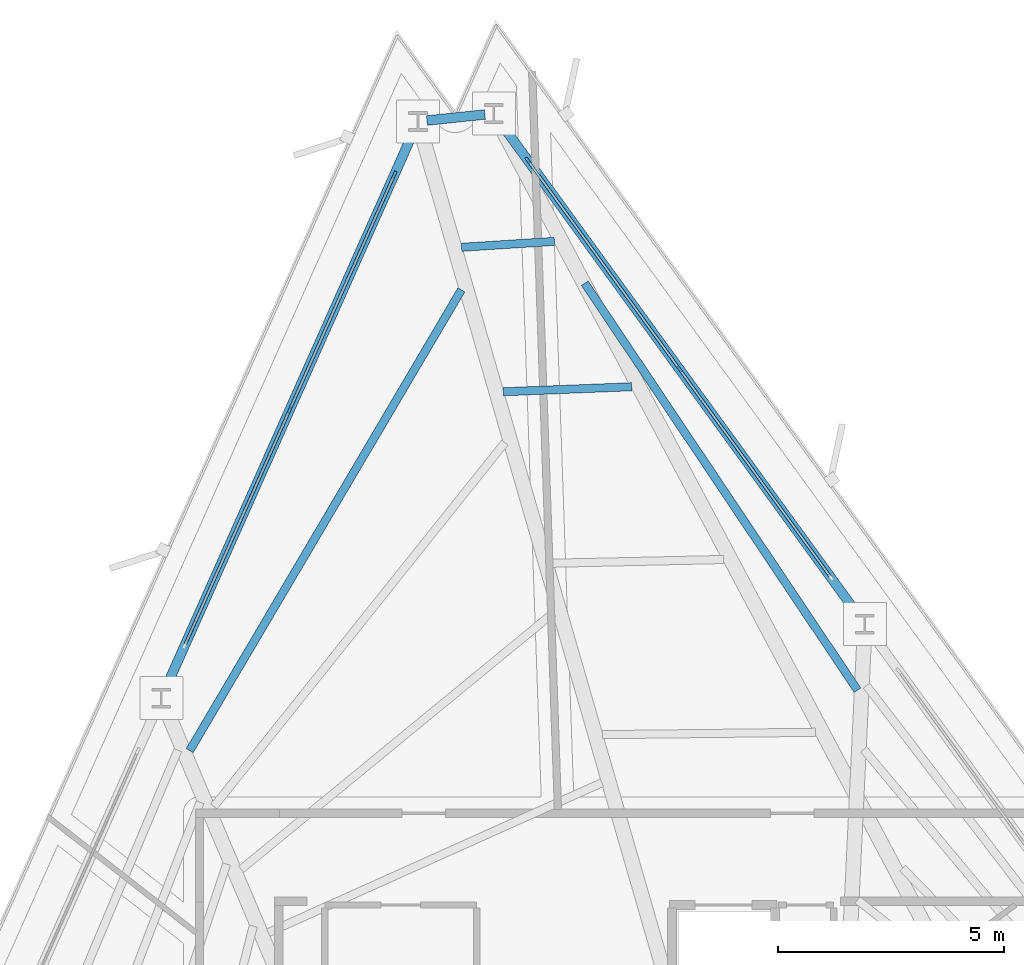
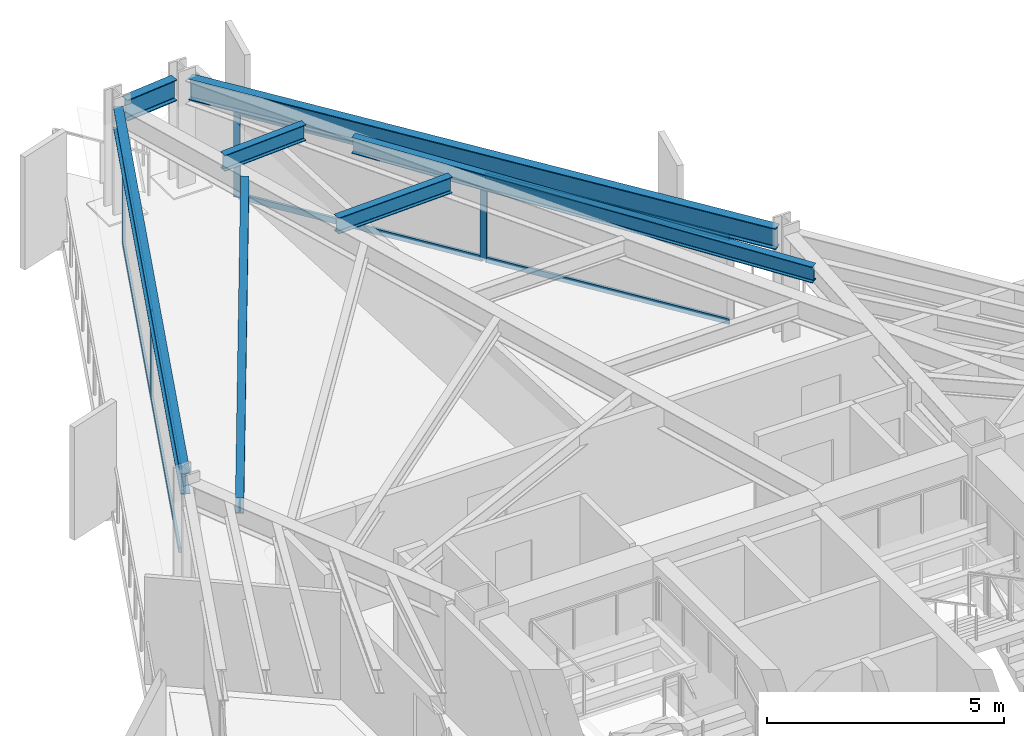
# One storey, part 6 of 12: 12 members, 7 beams, 2 elements without a shape of their own.
"""IFC4 building model written with IfcOpenShell, lengths in metres."""

import ifcopenshell
import ifcopenshell.guid

model = None  # the IFC model being written
_history = None  # IfcOwnerHistory: only IFC2X3 demands one
_inside = {}  # id of a spatial element -> (the spatial element, [elements in it])
_under = {}  # id of a project, library or spatial element -> (it, [spatial elements below it])
_declared = {}  # id of a project -> (the project, [libraries it declares])
_typed = {}  # id of a type object -> (the type object, [elements of that type])
_made_of = {}  # id of a material, layer set ... -> (it, [elements and type objects made of it])


def new_model(schema):
    """Start an empty IFC model of exactly this schema.

    Asked for "IFC4X3", IfcOpenShell would pick the latest addendum, in which some entities
    have other attributes; the version numbers below select the first issue.
    IFC2X3 requires an IfcOwnerHistory on every rooted entity: one is made here for all.
    """
    global model, _history
    if schema == "IFC4X3":
        model = ifcopenshell.file(schema_version=(4, 3, 0, 0))
    else:
        model = ifcopenshell.file(schema=schema)
    _inside.clear()
    _under.clear()
    _declared.clear()
    _typed.clear()
    _made_of.clear()
    _history = None
    if model.schema == "IFC2X3":
        org = make("IfcOrganization", Name="unknown")
        user = make(
            "IfcPersonAndOrganization",
            ThePerson=make("IfcPerson", FamilyName="unknown"),
            TheOrganization=org,
        )
        app = make(
            "IfcApplication",
            ApplicationDeveloper=org,
            Version="unknown",
            ApplicationFullName="unknown",
            ApplicationIdentifier="unknown",
        )
        _history = make(
            "IfcOwnerHistory",
            OwningUser=user,
            OwningApplication=app,
            ChangeAction="ADDED",
            CreationDate=0,
        )
    return model


def make(cls, **values):
    """One entity of the class cls with the attributes given. An attribute that is None is left unset."""
    return model.create_entity(
        cls, **{name: value for name, value in values.items() if value is not None}
    )


def rooted(cls, **values):
    """An entity with a GlobalId (a new one), such as an element, a storey or a relation."""
    return make(cls, GlobalId=ifcopenshell.guid.new(), OwnerHistory=_history, **values)


def si_unit(unit_type, name, prefix=None):
    """IfcSIUnit, for example si_unit("LENGTHUNIT", "METRE", prefix="MILLI")."""
    return make("IfcSIUnit", UnitType=unit_type, Prefix=prefix, Name=name)


def assignment(units):
    """IfcUnitAssignment: the units of a project."""
    return None if units is None else make("IfcUnitAssignment", Units=units)


def point(xyz):
    """IfcCartesianPoint."""
    return None if xyz is None else make("IfcCartesianPoint", Coordinates=xyz)


def direction(xyz):
    """IfcDirection."""
    return None if xyz is None else make("IfcDirection", DirectionRatios=xyz)


def frame(location, z_axis=None, x_axis=None):
    """IfcAxis2Placement3D, a coordinate frame: its origin and axes. An axis left out is left unset."""
    return make(
        "IfcAxis2Placement3D",
        Location=point(location),
        Axis=direction(z_axis),
        RefDirection=direction(x_axis),
    )


def frame_2d(location, x_axis=None):
    """IfcAxis2Placement2D, a coordinate frame in the plane: its origin and x axis."""
    return make(
        "IfcAxis2Placement2D", Location=point(location), RefDirection=direction(x_axis)
    )


def origin():
    """The frame at (0, 0, 0) with its axes left unset."""
    return frame((0.0, 0.0, 0.0))


def origin_2d():
    """The frame at (0, 0) in the plane with its x axis left unset."""
    return frame_2d((0.0, 0.0))


def place(relative_to, where):
    """IfcLocalPlacement: puts the frame where relative to a parent placement (None: the world)."""
    return make(
        "IfcLocalPlacement", PlacementRelTo=relative_to, RelativePlacement=where
    )


def context(
    kind, dimensions, precision=None, world=None, true_north=None, identifier=None
):
    """IfcGeometricRepresentationContext, for example the 3D "Model" context."""
    return make(
        "IfcGeometricRepresentationContext",
        ContextIdentifier=identifier,
        ContextType=kind,
        CoordinateSpaceDimension=dimensions,
        Precision=precision,
        WorldCoordinateSystem=world,
        TrueNorth=true_north,
    )


def subcontext(parent, identifier, kind, view, scale=None):
    """IfcGeometricRepresentationSubContext, for example "Body" below "Model"."""
    return make(
        "IfcGeometricRepresentationSubContext",
        ContextIdentifier=identifier,
        ContextType=kind,
        ParentContext=parent,
        TargetScale=scale,
        TargetView=view,
    )


def project(units=None, contexts=None):
    """IfcProject with its units and contexts."""
    return rooted(
        "IfcProject",
        Name="project",
        RepresentationContexts=contexts,
        UnitsInContext=assignment(units),
    )


def spatial(cls, under=None, at=None, **own):
    """A site, building, storey or space (cls), placed at a placement, below another one or the project."""
    s = rooted(cls, ObjectPlacement=at, **own)
    if under is not None:
        _under.setdefault(under.id(), (under, []))[1].append(s)
    return s


def profile(cls, at=None, kind="AREA", **sizes):
    """A parametric profile (cls). Its sizes go by their IFC names, for example OverallWidth=200.0."""
    return make(cls, ProfileType=kind, Position=at, **sizes)


def rectangle(**sizes):
    """IfcRectangleProfileDef."""
    return profile("IfcRectangleProfileDef", **sizes)


def i_section(**sizes):
    """IfcIShapeProfileDef."""
    return profile("IfcIShapeProfileDef", **sizes)


def extrude(swept, where, along, depth):
    """IfcExtrudedAreaSolid: the profile swept, set in the frame where, extruded along a direction by depth."""
    return make(
        "IfcExtrudedAreaSolid",
        SweptArea=swept,
        Position=where,
        ExtrudedDirection=direction(along),
        Depth=depth,
    )


def shape(context_of_items, identifier, shape_type, items):
    """IfcShapeRepresentation: the items that make up one representation, for example the "Body"."""
    return make(
        "IfcShapeRepresentation",
        ContextOfItems=context_of_items,
        RepresentationIdentifier=identifier,
        RepresentationType=shape_type,
        Items=items,
    )


def material(Name=None, Category=None):
    """IfcMaterial."""
    return make("IfcMaterial", Name=Name, Category=Category)


def layer(
    of_material, thickness, ventilated=None, Name=None, Category=None, Priority=None
):
    """IfcMaterialLayer: one layer of a wall or slab, of a material (None: an air gap)."""
    return make(
        "IfcMaterialLayer",
        Material=of_material,
        LayerThickness=thickness,
        IsVentilated=ventilated,
        Name=Name,
        Category=Category,
        Priority=Priority,
    )


def layer_set(layers, Name=None):
    """IfcMaterialLayerSet."""
    return make("IfcMaterialLayerSet", MaterialLayers=layers, LayerSetName=Name)


def material_profile(
    of_material, cross_section, Name=None, Category=None, Priority=None
):
    """IfcMaterialProfile: a cross section and its material."""
    return make(
        "IfcMaterialProfile",
        Name=Name,
        Material=of_material,
        Profile=cross_section,
        Priority=Priority,
        Category=Category,
    )


def profile_set(profiles, Name=None, composite=None):
    """IfcMaterialProfileSet."""
    return make(
        "IfcMaterialProfileSet",
        Name=Name,
        MaterialProfiles=profiles,
        CompositeProfile=composite,
    )


def made_of(thing, what):
    """Note that an element or type object is made of a material, layer set ...; save() writes the relation."""
    if what is not None:
        _made_of.setdefault(what.id(), (what, []))[1].append(thing)
    return thing


def type_object(cls, material=None, **own):
    """A type object (cls), such as IfcWallType, which elements share."""
    return made_of(rooted(cls, **own), material)


def element(
    cls,
    number,
    at=None,
    inside=None,
    cuts=None,
    type_object=None,
    material=None,
    context=None,
    identifier="Body",
    shape_type=None,
    held_by="IfcProductDefinitionShape",
    body=None,
    shapes=None,
    **own,
):
    """One element of the class cls, such as IfcWall. Its Tag is "e" and its number.

    at: its placement. inside: the storey or other place that contains it. cuts: it is an
    opening in that element (IfcRelVoidsElement). A single representation is given by context,
    identifier, shape_type and body (its items); several are given by shapes. held_by: the class
    of the entity that holds the representations. save() writes the other relations.
    """
    e = rooted(cls, Tag="e%d" % number, ObjectPlacement=at, **own)
    if body is not None:
        shapes = [shape(context, identifier, shape_type, body)]
    if shapes is not None:
        e.Representation = make(held_by, Representations=shapes)
    if inside is not None:
        _inside.setdefault(inside.id(), (inside, []))[1].append(e)
    if cuts is not None:
        rooted(
            "IfcRelVoidsElement", RelatingBuildingElement=cuts, RelatedOpeningElement=e
        )
    if type_object is not None:
        _typed.setdefault(type_object.id(), (type_object, []))[1].append(e)
    return made_of(e, material)


def aggregate(whole, parts):
    """IfcRelAggregates: a whole, such as a stair, and the parts it consists of."""
    return rooted("IfcRelAggregates", RelatingObject=whole, RelatedObjects=parts)


def save(model, path):
    """Write the relations noted so far, then the file.

    IfcRelAggregates (storeys below a building ...), IfcRelContainedInSpatialStructure (elements
    in a storey), IfcRelDefinesByType, IfcRelAssociatesMaterial and IfcRelDeclares: one each for
    every whole, place, type object, material and project.
    """
    for whole, parts in _under.values():
        aggregate(whole, parts)
    for where, things in _inside.values():
        rooted(
            "IfcRelContainedInSpatialStructure",
            RelatedElements=things,
            RelatingStructure=where,
        )
    for kind, things in _typed.values():
        rooted("IfcRelDefinesByType", RelatedObjects=things, RelatingType=kind)
    for what, things in _made_of.values():
        rooted("IfcRelAssociatesMaterial", RelatedObjects=things, RelatingMaterial=what)
    for by, libraries in _declared.values():
        rooted("IfcRelDeclares", RelatingContext=by, RelatedDefinitions=libraries)
    model.write(path)


model = new_model("IFC4")

# Units and contexts
model_context = context("Model", 3, precision=1e-05, world=origin(), true_north=direction((0.0, 1.0)))
body_context = subcontext(model_context, "Body", "Model", "MODEL_VIEW")
ifc_project = project(units=[si_unit("LENGTHUNIT", "METRE"), si_unit("AREAUNIT", "SQUARE_METRE"), si_unit("VOLUMEUNIT", "CUBIC_METRE"), si_unit("PLANEANGLEUNIT", "RADIAN"), si_unit("MASSUNIT", "GRAM", prefix="KILO")], contexts=[model_context])

# Site, building, storey
site_placement = place(None, origin())
site = spatial("IfcSite", under=ifc_project, at=site_placement, CompositionType="ELEMENT")
building_placement = place(site_placement, origin())
building = spatial("IfcBuilding", under=site, at=building_placement, Name="Rocaltana Carrier Exchange", CompositionType="ELEMENT")
storey_placement = place(building_placement, frame((0.0, 0.0, 104.639892578125)))
storey = spatial("IfcBuildingStorey", under=building, at=storey_placement, Name="L32", CompositionType="ELEMENT", Elevation=104.639892578125)

# Curtain wall, members
ifc_material_1 = material(Name="Aluminium 6063-T6", Category="aluminium")
ifc_layer = layer(ifc_material_1, 0.14990234375)
ifc_layer_set = layer_set([ifc_layer], Name="Aluminium 6063-T6")
curtain_wall_type = type_object("IfcCurtainWallType", Name="Mid-Tower Unitised Curtain Wall CW-03", PredefinedType="NOTDEFINED", material=ifc_layer_set)
curtain_wall_1_placement = place(storey_placement, origin())
curtain_wall_1 = element("IfcCurtainWall", 1, at=curtain_wall_1_placement, inside=storey, type_object=curtain_wall_type, Name="L32 CW-03 Run CW-L32-F1S3", PredefinedType="NOTDEFINED")
ifc_material_2 = material(Name="Aluminium 6063-T6", Category="aluminium")
ifc_material_profile_1 = material_profile(ifc_material_2, rectangle(XDim=0.06005859375, YDim=0.14990234375, at=origin_2d()), Name="AL-60X150")
ifc_profile_set_1 = profile_set([ifc_material_profile_1], Name="Aluminium 6063-T6")
member_type_1 = type_object("IfcMemberType", Name="CW-03 Mullion AL-60X150", PredefinedType="MULLION", material=ifc_profile_set_1)
member_1_placement = place(storey_placement, frame((2.363037109375, 18.980712890625, 0.0), z_axis=(0.0, 0.0, 1.0), x_axis=(-0.809013555195, -0.587789985889, 0.0)))
member_1 = element("IfcMember", 2, at=member_1_placement, type_object=member_type_1, Name="CW-03 mullion 2", PredefinedType="MULLION", context=body_context, shape_type="SweptSolid", body=[
    extrude(rectangle(XDim=0.06005859375, YDim=0.14990234375, at=origin_2d()), origin(), (0.0, 0.0, 1.0), 2.218017578125),
])
member_2_placement = place(storey_placement, frame((-0.9892578125, 23.5947265625, 0.0), z_axis=(0.0, 0.0, 1.0), x_axis=(-0.809013555195, -0.587789985889, 0.0)))
member_2 = element("IfcMember", 3, at=member_2_placement, type_object=member_type_1, Name="CW-03 mullion 3", PredefinedType="MULLION", context=body_context, shape_type="SweptSolid", body=[
    extrude(rectangle(XDim=0.06005859375, YDim=0.14990234375, at=origin_2d()), origin(), (0.0, 0.0, 1.0), 2.218017578125),
])

curtain_wall_2_placement = place(storey_placement, origin())
curtain_wall_2 = element("IfcCurtainWall", 4, at=curtain_wall_2_placement, inside=storey, type_object=curtain_wall_type, Name="L32 CW-03 Run CW-L32-F2S1", PredefinedType="NOTDEFINED")
member_3_placement = place(storey_placement, frame((-3.93798828125, 23.284912109375, 0.0), z_axis=(0.0, 0.0, 1.0), x_axis=(0.913543791084, -0.406740386206, 0.0)))
member_3 = element("IfcMember", 5, at=member_3_placement, type_object=member_type_1, Name="CW-03 mullion 1", PredefinedType="MULLION", context=body_context, shape_type="SweptSolid", body=[
    extrude(rectangle(XDim=0.06005859375, YDim=0.14990234375, at=origin_2d()), origin(), (0.0, 0.0, 1.0), 2.218017578125),
])
member_4_placement = place(storey_placement, frame((-6.2578125, 18.074462890625, 0.0), z_axis=(0.0, 0.0, 1.0), x_axis=(0.913543791084, -0.406740386206, 0.0)))
member_4 = element("IfcMember", 6, at=member_4_placement, type_object=member_type_1, Name="CW-03 mullion 2", PredefinedType="MULLION", context=body_context, shape_type="SweptSolid", body=[
    extrude(rectangle(XDim=0.06005859375, YDim=0.14990234375, at=origin_2d()), origin(), (0.0, 0.0, 1.0), 2.218017578125),
])

# Member
ifc_material_3 = material(Name="Aluminium 6063-T6", Category="aluminium")
ifc_material_profile_2 = material_profile(ifc_material_3, rectangle(XDim=0.06005859375, YDim=0.14990234375, at=origin_2d()), Name="AL-60X150")
ifc_profile_set_2 = profile_set([ifc_material_profile_2], Name="Aluminium 6063-T6")
member_type_2 = type_object("IfcMemberType", Name="CW-03 Transom AL-60X150", PredefinedType="USERDEFINED", material=ifc_profile_set_2)
member_5_placement = place(storey_placement, frame((5.69775390625, 14.390869140625, 0.030029296875), z_axis=(-0.587803791035, 0.809003524866, 0.0), x_axis=(-0.809003524866, -0.587803791035, 0.0)))
member_5 = element("IfcMember", 7, at=member_5_placement, type_object=member_type_2, Name="CW-03 transom 1.1", ObjectType="TRANSOM", PredefinedType="USERDEFINED", context=body_context, shape_type="SweptSolid", body=[
    extrude(rectangle(XDim=0.06005859375, YDim=0.14990234375, at=origin_2d()), origin(), (0.0, 0.0, 1.0), 5.643310546875),
])

member_6_placement = place(storey_placement, frame((5.69775390625, 14.390869140625, 2.18798828125), z_axis=(-0.587803791035, 0.809003524866, 0.0), x_axis=(-0.809003524866, -0.587803791035, 0.0)))
member_6 = element("IfcMember", 8, at=member_6_placement, type_object=member_type_2, Name="CW-03 transom 1.2", ObjectType="TRANSOM", PredefinedType="USERDEFINED", context=body_context, shape_type="SweptSolid", body=[
    extrude(rectangle(XDim=0.06005859375, YDim=0.14990234375, at=origin_2d()), origin(), (0.0, 0.0, 1.0), 5.643310546875),
])

member_7_placement = place(storey_placement, frame((2.345458984375, 19.0048828125, 0.030029296875), z_axis=(-0.58778321885, 0.809018471753, 0.0), x_axis=(-0.809018471753, -0.58778321885, 0.0)))
member_7 = element("IfcMember", 9, at=member_7_placement, type_object=member_type_2, Name="CW-03 transom 2.1", ObjectType="TRANSOM", PredefinedType="USERDEFINED", context=body_context, shape_type="SweptSolid", body=[
    extrude(rectangle(XDim=0.06005859375, YDim=0.14990234375, at=origin_2d()), origin(), (0.0, 0.0, 1.0), 5.6435546875),
])

member_8_placement = place(storey_placement, frame((2.345458984375, 19.0048828125, 2.18798828125), z_axis=(-0.58778321885, 0.809018471753, 0.0), x_axis=(-0.809018471753, -0.58778321885, 0.0)))
member_8 = element("IfcMember", 10, at=member_8_placement, type_object=member_type_2, Name="CW-03 transom 2.2", ObjectType="TRANSOM", PredefinedType="USERDEFINED", context=body_context, shape_type="SweptSolid", body=[
    extrude(rectangle(XDim=0.06005859375, YDim=0.14990234375, at=origin_2d()), origin(), (0.0, 0.0, 1.0), 5.6435546875),
])

aggregate(curtain_wall_1, [member_1, member_2, member_5, member_6, member_7, member_8])

member_9_placement = place(storey_placement, frame((-3.9501953125, 23.25732421875, 0.030029296875), z_axis=(-0.406740464784, -0.913543756099, 0.0), x_axis=(0.913543756099, -0.406740464784, 0.0)))
member_9 = element("IfcMember", 11, at=member_9_placement, type_object=member_type_2, Name="CW-03 transom 1.1", ObjectType="TRANSOM", PredefinedType="USERDEFINED", context=body_context, shape_type="SweptSolid", body=[
    extrude(rectangle(XDim=0.06005859375, YDim=0.14990234375, at=origin_2d()), origin(), (0.0, 0.0, 1.0), 5.643310546875),
])

member_10_placement = place(storey_placement, frame((-3.9501953125, 23.25732421875, 2.18798828125), z_axis=(-0.406740464784, -0.913543756099, 0.0), x_axis=(0.913543756099, -0.406740464784, 0.0)))
member_10 = element("IfcMember", 12, at=member_10_placement, type_object=member_type_2, Name="CW-03 transom 1.2", ObjectType="TRANSOM", PredefinedType="USERDEFINED", context=body_context, shape_type="SweptSolid", body=[
    extrude(rectangle(XDim=0.06005859375, YDim=0.14990234375, at=origin_2d()), origin(), (0.0, 0.0, 1.0), 5.643310546875),
])

member_11_placement = place(storey_placement, frame((-6.27001953125, 18.047119140625, 0.030029296875), z_axis=(-0.406704359788, -0.913559830405, 0.0), x_axis=(0.913559830405, -0.406704359788, 0.0)))
member_11 = element("IfcMember", 13, at=member_11_placement, type_object=member_type_2, Name="CW-03 transom 2.1", ObjectType="TRANSOM", PredefinedType="USERDEFINED", context=body_context, shape_type="SweptSolid", body=[
    extrude(rectangle(XDim=0.06005859375, YDim=0.14990234375, at=origin_2d()), origin(), (0.0, 0.0, 1.0), 5.643310546875),
])

member_12_placement = place(storey_placement, frame((-6.27001953125, 18.047119140625, 2.18798828125), z_axis=(-0.406704359788, -0.913559830405, 0.0), x_axis=(0.913559830405, -0.406704359788, 0.0)))
member_12 = element("IfcMember", 14, at=member_12_placement, type_object=member_type_2, Name="CW-03 transom 2.2", ObjectType="TRANSOM", PredefinedType="USERDEFINED", context=body_context, shape_type="SweptSolid", body=[
    extrude(rectangle(XDim=0.06005859375, YDim=0.14990234375, at=origin_2d()), origin(), (0.0, 0.0, 1.0), 5.643310546875),
])

aggregate(curtain_wall_2, [member_3, member_4, member_9, member_10, member_11, member_12])

# Beams
ifc_material_4 = material(Name="Steel S355", Category="steel")
ifc_material_profile_3 = material_profile(ifc_material_4, i_section(OverallWidth=0.179931640625, OverallDepth=0.4130859375, WebThickness=0.009765625, FlangeThickness=0.01611328125, FilletRadius=0.012939453125, at=origin_2d()), Name="W16X50")
ifc_profile_set_3 = profile_set([ifc_material_profile_3], Name="Steel S355")
beam_type_1 = type_object("IfcBeamType", Name="Floor Joist W16X50", PredefinedType="JOIST", material=ifc_profile_set_3)
beam_1_placement = place(storey_placement, frame((6.3056640625, 11.87109375, 2.58154296875), z_axis=(-0.556730424086, 0.830693225503, 0.0), x_axis=(-0.830693225503, -0.556730424086, 0.0)))
element("IfcBeam", 15, at=beam_1_placement, inside=storey, type_object=beam_type_1, Name="FJ-L32-03-4", PredefinedType="JOIST", context=body_context, shape_type="SweptSolid", body=[
    extrude(i_section(OverallWidth=0.179931640625, OverallDepth=0.4130859375, WebThickness=0.009765625, FlangeThickness=0.01611328125, FilletRadius=0.012939453125, at=origin_2d()), origin(), (0.0, 0.0, 1.0), 10.841552734375),
])
beam_2_placement = place(storey_placement, frame((1.31005859375, 18.585205078125, 2.58154296875), z_axis=(-0.999236623871, -0.039066219613, 0.0), x_axis=(0.039066219613, -0.999236623871, 0.0)))
element("IfcBeam", 16, at=beam_2_placement, inside=storey, type_object=beam_type_1, Name="FJ-L32-04-3", PredefinedType="JOIST", context=body_context, shape_type="SweptSolid", body=[
    extrude(i_section(OverallWidth=0.179931640625, OverallDepth=0.4130859375, WebThickness=0.009765625, FlangeThickness=0.01611328125, FilletRadius=0.012939453125, at=origin_2d()), origin(), (0.0, 0.0, 1.0), 2.843505859375),
])
beam_3_placement = place(storey_placement, frame((-0.400390625, 21.802001953125, 2.58154296875), z_axis=(-0.99795348831, -0.063944000261, 0.0), x_axis=(0.063944000261, -0.99795348831, 0.0)))
element("IfcBeam", 17, at=beam_3_placement, inside=storey, type_object=beam_type_1, Name="FJ-L32-04-4", PredefinedType="JOIST", context=body_context, shape_type="SweptSolid", body=[
    extrude(i_section(OverallWidth=0.179931640625, OverallDepth=0.4130859375, WebThickness=0.009765625, FlangeThickness=0.01611328125, FilletRadius=0.012939453125, at=origin_2d()), origin(), (0.0, 0.0, 1.0), 2.057861328125),
])
beam_4_placement = place(storey_placement, frame((-2.45849609375, 20.72802734375, 2.58154296875), z_axis=(-0.507982665152, -0.861367292103, 0.0), x_axis=(0.861367292103, -0.507982665152, 0.0)))
element("IfcBeam", 18, at=beam_4_placement, inside=storey, type_object=beam_type_1, Name="FJ-L32-05-4", PredefinedType="JOIST", context=body_context, shape_type="SweptSolid", body=[
    extrude(i_section(OverallWidth=0.179931640625, OverallDepth=0.4130859375, WebThickness=0.009765625, FlangeThickness=0.01611328125, FilletRadius=0.012939453125, at=origin_2d()), origin(), (0.0, 0.0, 1.0), 11.83447265625),
])
ifc_material_5 = material(Name="Steel S355", Category="steel")
ifc_material_profile_4 = material_profile(ifc_material_5, i_section(OverallWidth=0.2119140625, OverallDepth=0.5439453125, WebThickness=0.01318359375, FlangeThickness=0.021240234375, FilletRadius=0.014892578125, at=origin_2d()), Name="W21X83")
ifc_profile_set_4 = profile_set([ifc_material_profile_4], Name="Steel S355")
beam_type_2 = type_object("IfcBeamType", Name="Spandrel Edge Beam W21X83", PredefinedType="SPANDREL", material=ifc_profile_set_4)
beam_5_placement = place(storey_placement, frame((6.351318359375, 13.4912109375, 2.51611328125), z_axis=(-0.587777981524, 0.809022276847, 0.0), x_axis=(-0.809022276847, -0.587777981524, 0.0)))
element("IfcBeam", 19, at=beam_5_placement, inside=storey, type_object=beam_type_2, Name="SP-L32-03", PredefinedType="SPANDREL", context=body_context, shape_type="SweptSolid", body=[
    extrude(i_section(OverallWidth=0.2119140625, OverallDepth=0.5439453125, WebThickness=0.01318359375, FlangeThickness=0.021240234375, FilletRadius=0.014892578125, at=origin_2d()), origin(), (0.0, 0.0, 1.0), 13.57080078125),
])
beam_6_placement = place(storey_placement, frame((-1.9384765625, 24.609619140625, 2.51611328125), z_axis=(-0.994519972374, -0.104546757713, 0.0), x_axis=(0.104546757713, -0.994519972374, 0.0)))
element("IfcBeam", 20, at=beam_6_placement, inside=storey, type_object=beam_type_2, Name="SP-L32-04", PredefinedType="SPANDREL", context=body_context, shape_type="SweptSolid", body=[
    extrude(i_section(OverallWidth=0.2119140625, OverallDepth=0.5439453125, WebThickness=0.01318359375, FlangeThickness=0.021240234375, FilletRadius=0.014892578125, at=origin_2d()), origin(), (0.0, 0.0, 1.0), 1.2890625),
])
beam_7_placement = place(storey_placement, frame((-3.497802734375, 24.273193359375, 2.51611328125), z_axis=(-0.406740957499, -0.913543536725, 0.0), x_axis=(0.913543536725, -0.406740957499, 0.0)))
element("IfcBeam", 21, at=beam_7_placement, inside=storey, type_object=beam_type_2, Name="SP-L32-05", PredefinedType="SPANDREL", context=body_context, shape_type="SweptSolid", body=[
    extrude(i_section(OverallWidth=0.2119140625, OverallDepth=0.5439453125, WebThickness=0.01318359375, FlangeThickness=0.021240234375, FilletRadius=0.014892578125, at=origin_2d()), origin(), (0.0, 0.0, 1.0), 13.57080078125),
])

save(model, "model.ifc")
